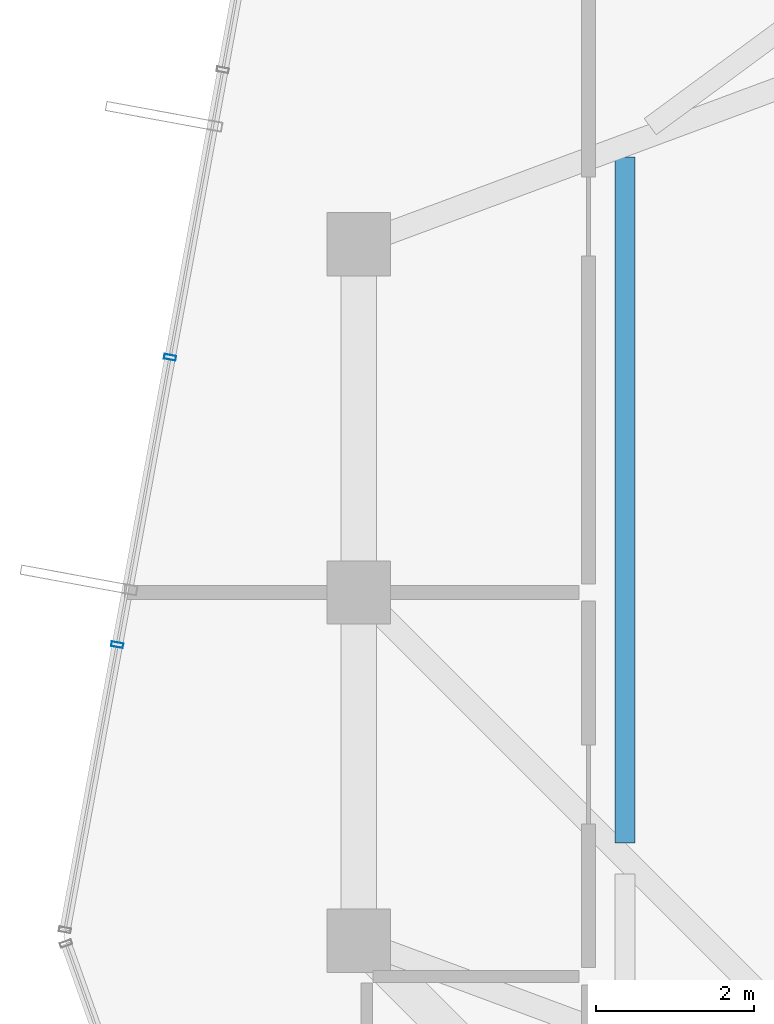
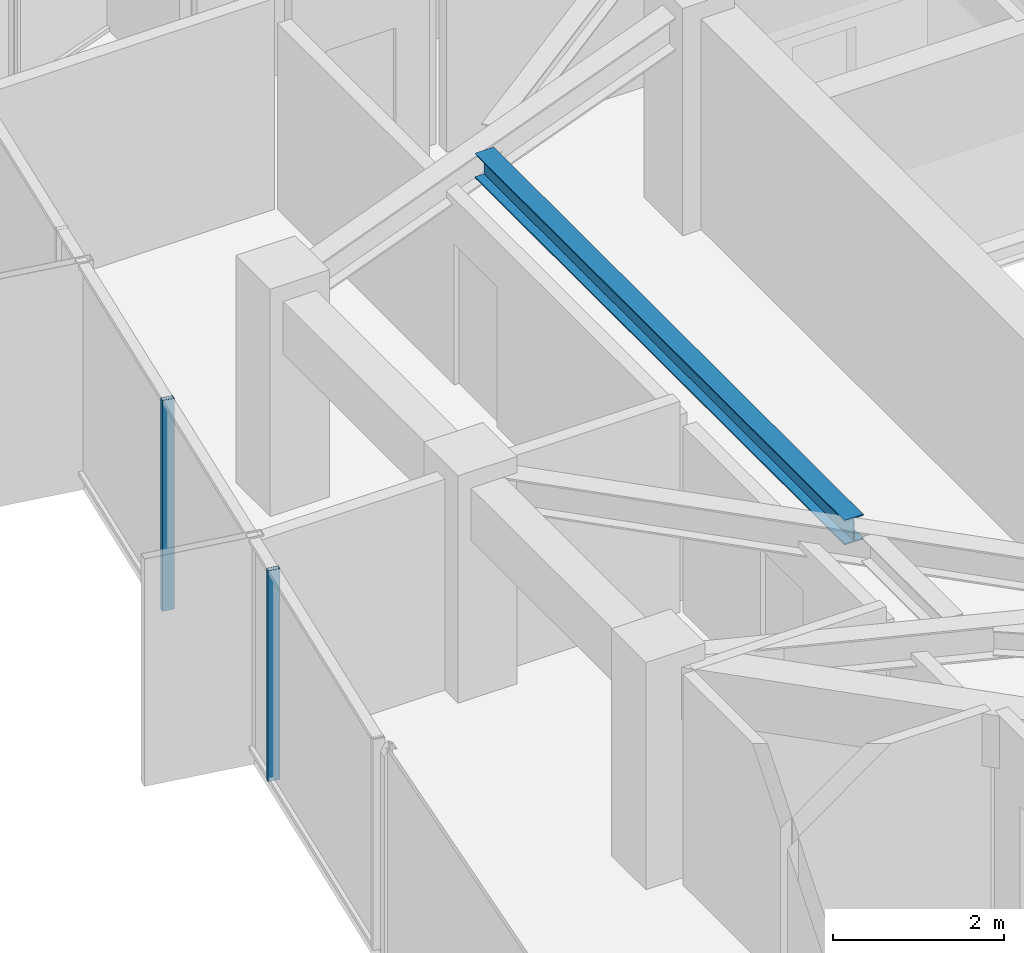
# One storey, part 12 of 29: 2 members, 1 beam, 1 element without a shape of its own.
"""IFC4 building model written with IfcOpenShell, lengths in metres."""

from ifc_helpers import new_model, si_unit, direction, frame, origin, origin_2d, place, context, subcontext, project, spatial, hollow_rectangle, i_section, extrude, source, transform, mapped, material, layer, layer_set, material_profile, profile_set, type_object, element, aggregate, save


model = new_model("IFC4")

# Units and contexts
model_context = context("Model", 3, precision=1e-05, world=origin(), true_north=direction((0.0, 1.0)))
body_context = subcontext(model_context, "Body", "Model", "MODEL_VIEW")
ifc_project = project(units=[si_unit("LENGTHUNIT", "METRE"), si_unit("AREAUNIT", "SQUARE_METRE"), si_unit("VOLUMEUNIT", "CUBIC_METRE"), si_unit("PLANEANGLEUNIT", "RADIAN"), si_unit("MASSUNIT", "GRAM", prefix="KILO")], contexts=[model_context])

# Site, building, storey
site_placement = place(None, origin())
site = spatial("IfcSite", under=ifc_project, at=site_placement, CompositionType="ELEMENT")
building_placement = place(site_placement, origin())
building = spatial("IfcBuilding", under=site, at=building_placement, Name="Veraguas Prism Commons", CompositionType="ELEMENT")
storey_placement = place(building_placement, frame((0.0, 0.0, 244.75)))
storey = spatial("IfcBuildingStorey", under=building, at=storey_placement, Name="L69", CompositionType="ELEMENT", Elevation=244.75)

# Beam
ifc_material_1 = material(Name="Steel ASTM A992 Grade 50", Category="steel")
ifc_material_profile_1 = material_profile(ifc_material_1, i_section(OverallWidth=0.25390625, OverallDepth=0.35302734375, WebThickness=0.009521484375, FlangeThickness=0.016357421875, at=origin_2d()), Name="W360X91")
ifc_profile_set_1 = profile_set([ifc_material_profile_1], Name="Steel ASTM A992 Grade 50")
beam_type = type_object("IfcBeamType", Name="Upper Floor Joist W360x91", PredefinedType="JOIST", material=ifc_profile_set_1)
beam_placement = place(storey_placement, frame((13.56005859375, 29.499267578125, 2.83837890625), z_axis=(0.0, -1.0, 0.0), x_axis=(1.0, 0.0, 0.0)))
element("IfcBeam", 1, at=beam_placement, inside=storey, type_object=beam_type, Name="Composite Floor Joist L69-JS07", PredefinedType="JOIST", context=body_context, shape_type="SweptSolid", body=[
    extrude(i_section(OverallWidth=0.25390625, OverallDepth=0.35302734375, WebThickness=0.009521484375, FlangeThickness=0.016357421875, at=origin_2d()), origin(), (0.0, 0.0, 1.0), 8.661865234375),
])

# Curtain wall, members
ifc_material_2 = material(Name="Anodised aluminium EN AW-6063 T6", Category="aluminium")
ifc_layer = layer(ifc_material_2, 0.14990234375, Name="Unitised Flush Curtain Wall Zone 4", Category="aluminium")
ifc_layer_set = layer_set([ifc_layer], Name="Anodised aluminium EN AW-6063 T6")
curtain_wall_type = type_object("IfcCurtainWallType", Name="Unitised Flush Curtain Wall Zone 4", PredefinedType="NOTDEFINED", material=ifc_layer_set)
curtain_wall_placement = place(storey_placement, origin())
curtain_wall = element("IfcCurtainWall", 2, at=curtain_wall_placement, inside=storey, type_object=curtain_wall_type, Name="Tower Facade Curtain Wall L69-F3", PredefinedType="NOTDEFINED")
ifc_material_profile_2 = material_profile(ifc_material_2, hollow_rectangle(XDim=0.06005859375, YDim=0.14990234375, WallThickness=0.0029296875, at=origin_2d()), Name="AL60X150X3")
ifc_profile_set_2 = profile_set([ifc_material_profile_2], Name="Anodised aluminium EN AW-6063 T6")
member_type = type_object("IfcMemberType", Name="Curtain Wall Mullion Upper AL 60x150x3", PredefinedType="MULLION", material=ifc_profile_set_2)
shared_shape = source(origin(), body_context, "Body", "SweptSolid", [
    extrude(hollow_rectangle(XDim=0.06005859375, YDim=0.14990234375, WallThickness=0.0029296875, at=origin_2d()), origin(), (0.0, 0.0, 1.0), 3.014892578125),
])
member_1_placement = place(storey_placement, frame((7.81591796875, 26.970458984375, 0.0), z_axis=(0.0, 0.0, 1.0), x_axis=(-0.180524295216, -0.983570525604, 0.0)))
member_1 = element("IfcMember", 3, at=member_1_placement, type_object=member_type, Name="CW-Z4 Mullion 3", PredefinedType="MULLION", context=body_context, shape_type="MappedRepresentation", body=[
    mapped(shared_shape, transform((0.0, 0.0, 0.0), scale=1.0)),
])
member_2_placement = place(storey_placement, frame((7.1494140625, 23.33935546875, 0.0), z_axis=(0.0, 0.0, 1.0), x_axis=(-0.180524295216, -0.983570525604, 0.0)))
member_2 = element("IfcMember", 4, at=member_2_placement, type_object=member_type, Name="CW-Z4 Mullion 4", PredefinedType="MULLION", context=body_context, shape_type="MappedRepresentation", body=[
    mapped(shared_shape, transform((0.0, 0.0, 0.0), scale=1.0)),
])
aggregate(curtain_wall, [member_1, member_2])

save(model, "model.ifc")
